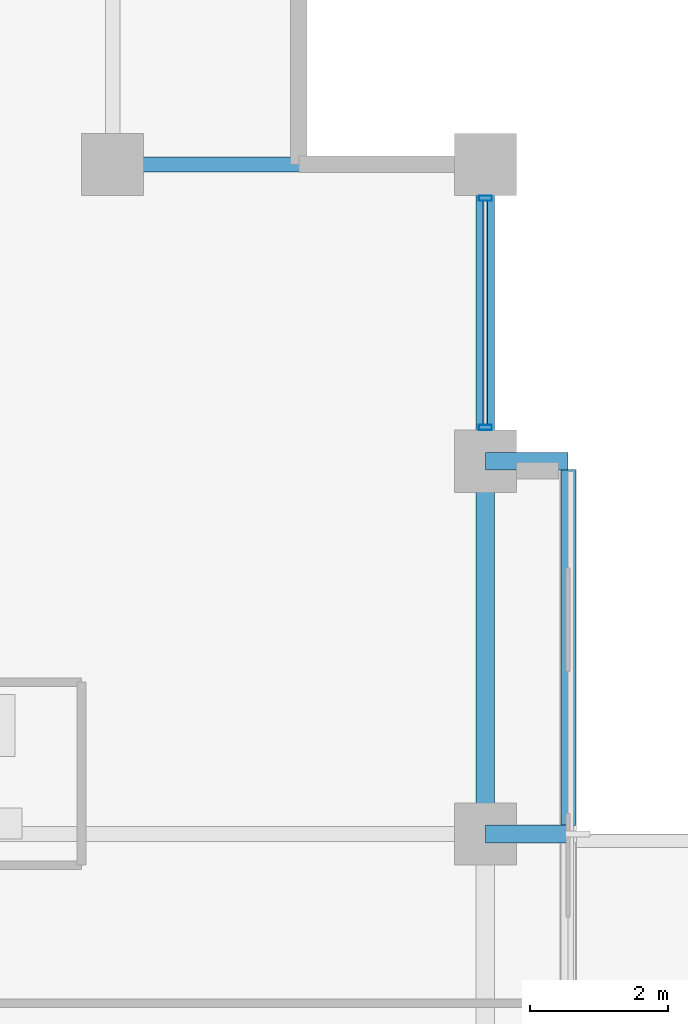
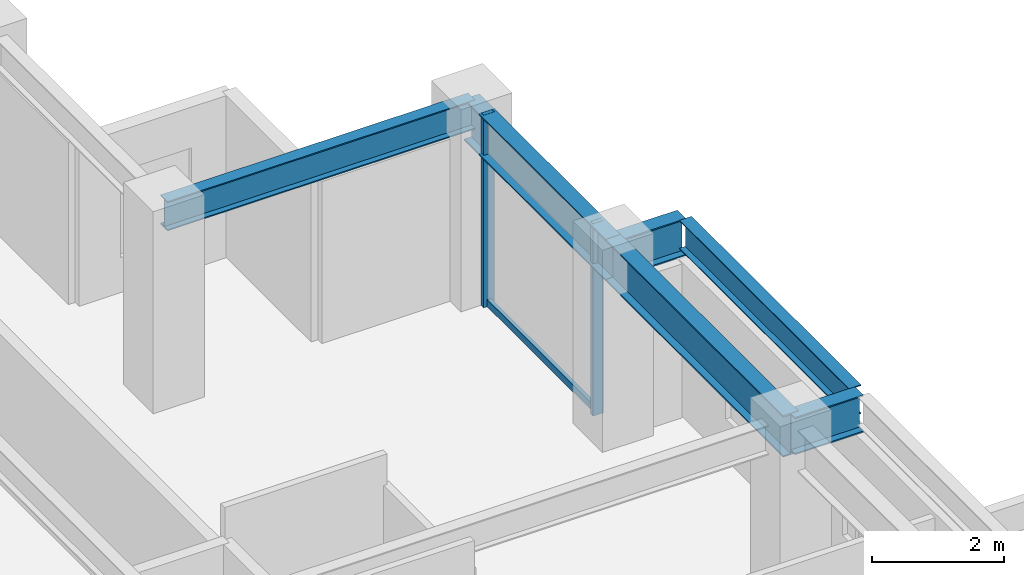
# One storey, part 20 of 28: 6 beams, 3 members, 1 element without a shape of its own.
"""IFC4 building model written with IfcOpenShell, lengths in metres."""

import ifcopenshell
import ifcopenshell.guid

model = None  # the IFC model being written
_history = None  # IfcOwnerHistory: only IFC2X3 demands one
_inside = {}  # id of a spatial element -> (the spatial element, [elements in it])
_under = {}  # id of a project, library or spatial element -> (it, [spatial elements below it])
_declared = {}  # id of a project -> (the project, [libraries it declares])
_typed = {}  # id of a type object -> (the type object, [elements of that type])
_made_of = {}  # id of a material, layer set ... -> (it, [elements and type objects made of it])


def new_model(schema):
    """Start an empty IFC model of exactly this schema.

    Asked for "IFC4X3", IfcOpenShell would pick the latest addendum, in which some entities
    have other attributes; the version numbers below select the first issue.
    IFC2X3 requires an IfcOwnerHistory on every rooted entity: one is made here for all.
    """
    global model, _history
    if schema == "IFC4X3":
        model = ifcopenshell.file(schema_version=(4, 3, 0, 0))
    else:
        model = ifcopenshell.file(schema=schema)
    _inside.clear()
    _under.clear()
    _declared.clear()
    _typed.clear()
    _made_of.clear()
    _history = None
    if model.schema == "IFC2X3":
        org = make("IfcOrganization", Name="unknown")
        user = make(
            "IfcPersonAndOrganization",
            ThePerson=make("IfcPerson", FamilyName="unknown"),
            TheOrganization=org,
        )
        app = make(
            "IfcApplication",
            ApplicationDeveloper=org,
            Version="unknown",
            ApplicationFullName="unknown",
            ApplicationIdentifier="unknown",
        )
        _history = make(
            "IfcOwnerHistory",
            OwningUser=user,
            OwningApplication=app,
            ChangeAction="ADDED",
            CreationDate=0,
        )
    return model


def make(cls, **values):
    """One entity of the class cls with the attributes given. An attribute that is None is left unset."""
    return model.create_entity(
        cls, **{name: value for name, value in values.items() if value is not None}
    )


def rooted(cls, **values):
    """An entity with a GlobalId (a new one), such as an element, a storey or a relation."""
    return make(cls, GlobalId=ifcopenshell.guid.new(), OwnerHistory=_history, **values)


def si_unit(unit_type, name, prefix=None):
    """IfcSIUnit, for example si_unit("LENGTHUNIT", "METRE", prefix="MILLI")."""
    return make("IfcSIUnit", UnitType=unit_type, Prefix=prefix, Name=name)


def assignment(units):
    """IfcUnitAssignment: the units of a project."""
    return None if units is None else make("IfcUnitAssignment", Units=units)


def point(xyz):
    """IfcCartesianPoint."""
    return None if xyz is None else make("IfcCartesianPoint", Coordinates=xyz)


def direction(xyz):
    """IfcDirection."""
    return None if xyz is None else make("IfcDirection", DirectionRatios=xyz)


def frame(location, z_axis=None, x_axis=None):
    """IfcAxis2Placement3D, a coordinate frame: its origin and axes. An axis left out is left unset."""
    return make(
        "IfcAxis2Placement3D",
        Location=point(location),
        Axis=direction(z_axis),
        RefDirection=direction(x_axis),
    )


def frame_2d(location, x_axis=None):
    """IfcAxis2Placement2D, a coordinate frame in the plane: its origin and x axis."""
    return make(
        "IfcAxis2Placement2D", Location=point(location), RefDirection=direction(x_axis)
    )


def origin():
    """The frame at (0, 0, 0) with its axes left unset."""
    return frame((0.0, 0.0, 0.0))


def origin_2d():
    """The frame at (0, 0) in the plane with its x axis left unset."""
    return frame_2d((0.0, 0.0))


def place(relative_to, where):
    """IfcLocalPlacement: puts the frame where relative to a parent placement (None: the world)."""
    return make(
        "IfcLocalPlacement", PlacementRelTo=relative_to, RelativePlacement=where
    )


def context(
    kind, dimensions, precision=None, world=None, true_north=None, identifier=None
):
    """IfcGeometricRepresentationContext, for example the 3D "Model" context."""
    return make(
        "IfcGeometricRepresentationContext",
        ContextIdentifier=identifier,
        ContextType=kind,
        CoordinateSpaceDimension=dimensions,
        Precision=precision,
        WorldCoordinateSystem=world,
        TrueNorth=true_north,
    )


def subcontext(parent, identifier, kind, view, scale=None):
    """IfcGeometricRepresentationSubContext, for example "Body" below "Model"."""
    return make(
        "IfcGeometricRepresentationSubContext",
        ContextIdentifier=identifier,
        ContextType=kind,
        ParentContext=parent,
        TargetScale=scale,
        TargetView=view,
    )


def project(units=None, contexts=None):
    """IfcProject with its units and contexts."""
    return rooted(
        "IfcProject",
        Name="project",
        RepresentationContexts=contexts,
        UnitsInContext=assignment(units),
    )


def spatial(cls, under=None, at=None, **own):
    """A site, building, storey or space (cls), placed at a placement, below another one or the project."""
    s = rooted(cls, ObjectPlacement=at, **own)
    if under is not None:
        _under.setdefault(under.id(), (under, []))[1].append(s)
    return s


def profile(cls, at=None, kind="AREA", **sizes):
    """A parametric profile (cls). Its sizes go by their IFC names, for example OverallWidth=200.0."""
    return make(cls, ProfileType=kind, Position=at, **sizes)


def hollow_rectangle(**sizes):
    """IfcRectangleHollowProfileDef."""
    return profile("IfcRectangleHollowProfileDef", **sizes)


def i_section(**sizes):
    """IfcIShapeProfileDef."""
    return profile("IfcIShapeProfileDef", **sizes)


def extrude(swept, where, along, depth):
    """IfcExtrudedAreaSolid: the profile swept, set in the frame where, extruded along a direction by depth."""
    return make(
        "IfcExtrudedAreaSolid",
        SweptArea=swept,
        Position=where,
        ExtrudedDirection=direction(along),
        Depth=depth,
    )


def shape(context_of_items, identifier, shape_type, items):
    """IfcShapeRepresentation: the items that make up one representation, for example the "Body"."""
    return make(
        "IfcShapeRepresentation",
        ContextOfItems=context_of_items,
        RepresentationIdentifier=identifier,
        RepresentationType=shape_type,
        Items=items,
    )


def material(Name=None, Category=None):
    """IfcMaterial."""
    return make("IfcMaterial", Name=Name, Category=Category)


def layer(
    of_material, thickness, ventilated=None, Name=None, Category=None, Priority=None
):
    """IfcMaterialLayer: one layer of a wall or slab, of a material (None: an air gap)."""
    return make(
        "IfcMaterialLayer",
        Material=of_material,
        LayerThickness=thickness,
        IsVentilated=ventilated,
        Name=Name,
        Category=Category,
        Priority=Priority,
    )


def layer_set(layers, Name=None):
    """IfcMaterialLayerSet."""
    return make("IfcMaterialLayerSet", MaterialLayers=layers, LayerSetName=Name)


def material_profile(
    of_material, cross_section, Name=None, Category=None, Priority=None
):
    """IfcMaterialProfile: a cross section and its material."""
    return make(
        "IfcMaterialProfile",
        Name=Name,
        Material=of_material,
        Profile=cross_section,
        Priority=Priority,
        Category=Category,
    )


def profile_set(profiles, Name=None, composite=None):
    """IfcMaterialProfileSet."""
    return make(
        "IfcMaterialProfileSet",
        Name=Name,
        MaterialProfiles=profiles,
        CompositeProfile=composite,
    )


def made_of(thing, what):
    """Note that an element or type object is made of a material, layer set ...; save() writes the relation."""
    if what is not None:
        _made_of.setdefault(what.id(), (what, []))[1].append(thing)
    return thing


def type_object(cls, material=None, **own):
    """A type object (cls), such as IfcWallType, which elements share."""
    return made_of(rooted(cls, **own), material)


def element(
    cls,
    number,
    at=None,
    inside=None,
    cuts=None,
    type_object=None,
    material=None,
    context=None,
    identifier="Body",
    shape_type=None,
    held_by="IfcProductDefinitionShape",
    body=None,
    shapes=None,
    **own,
):
    """One element of the class cls, such as IfcWall. Its Tag is "e" and its number.

    at: its placement. inside: the storey or other place that contains it. cuts: it is an
    opening in that element (IfcRelVoidsElement). A single representation is given by context,
    identifier, shape_type and body (its items); several are given by shapes. held_by: the class
    of the entity that holds the representations. save() writes the other relations.
    """
    e = rooted(cls, Tag="e%d" % number, ObjectPlacement=at, **own)
    if body is not None:
        shapes = [shape(context, identifier, shape_type, body)]
    if shapes is not None:
        e.Representation = make(held_by, Representations=shapes)
    if inside is not None:
        _inside.setdefault(inside.id(), (inside, []))[1].append(e)
    if cuts is not None:
        rooted(
            "IfcRelVoidsElement", RelatingBuildingElement=cuts, RelatedOpeningElement=e
        )
    if type_object is not None:
        _typed.setdefault(type_object.id(), (type_object, []))[1].append(e)
    return made_of(e, material)


def aggregate(whole, parts):
    """IfcRelAggregates: a whole, such as a stair, and the parts it consists of."""
    return rooted("IfcRelAggregates", RelatingObject=whole, RelatedObjects=parts)


def save(model, path):
    """Write the relations noted so far, then the file.

    IfcRelAggregates (storeys below a building ...), IfcRelContainedInSpatialStructure (elements
    in a storey), IfcRelDefinesByType, IfcRelAssociatesMaterial and IfcRelDeclares: one each for
    every whole, place, type object, material and project.
    """
    for whole, parts in _under.values():
        aggregate(whole, parts)
    for where, things in _inside.values():
        rooted(
            "IfcRelContainedInSpatialStructure",
            RelatedElements=things,
            RelatingStructure=where,
        )
    for kind, things in _typed.values():
        rooted("IfcRelDefinesByType", RelatedObjects=things, RelatingType=kind)
    for what, things in _made_of.values():
        rooted("IfcRelAssociatesMaterial", RelatedObjects=things, RelatingMaterial=what)
    for by, libraries in _declared.values():
        rooted("IfcRelDeclares", RelatingContext=by, RelatedDefinitions=libraries)
    model.write(path)


model = new_model("IFC4")

# Units and contexts
model_context = context("Model", 3, precision=1e-05, world=origin(), true_north=direction((0.0, 1.0)))
body_context = subcontext(model_context, "Body", "Model", "MODEL_VIEW")
ifc_project = project(units=[si_unit("LENGTHUNIT", "METRE"), si_unit("AREAUNIT", "SQUARE_METRE"), si_unit("VOLUMEUNIT", "CUBIC_METRE"), si_unit("PLANEANGLEUNIT", "RADIAN"), si_unit("MASSUNIT", "GRAM", prefix="KILO")], contexts=[model_context])

# Site, building, storey
site_placement = place(None, origin())
site = spatial("IfcSite", under=ifc_project, at=site_placement, CompositionType="ELEMENT")
building_placement = place(site_placement, origin())
building = spatial("IfcBuilding", under=site, at=building_placement, Name="Surkhivell Harbour Commons", CompositionType="ELEMENT")
storey_placement = place(building_placement, frame((0.0, 0.0, 182.25)))
storey = spatial("IfcBuildingStorey", under=building, at=storey_placement, Name="L47", CompositionType="ELEMENT", Elevation=182.25)

# Beams
ifc_material_1 = material(Name="Steel S460", Category="steel")
ifc_material_profile_1 = material_profile(ifc_material_1, i_section(OverallWidth=0.256103515625, OverallDepth=0.693115234375, WebThickness=0.014404296875, FlangeThickness=0.023681640625, at=origin_2d()), Name="UB686x254x170")
ifc_profile_set_1 = profile_set([ifc_material_profile_1], Name="Steel S460")
beam_type_1 = type_object("IfcBeamType", Name="BM-CNT-686", PredefinedType="BEAM", material=ifc_profile_set_1)
for number, where, z_axis, x_axis, name in (
    (1, (21.60009765625, 10.800048828125, 3.223388671875), (1.0, 0.0, 0.0), (0.0, 1.0, 0.0), "L47 Box Cantilever Outrigger (21.6,10.8)"),
    (2, (21.60009765625, 16.199951171875, 3.223388671875), (1.0, 0.0, 0.0), (0.0, 1.0, 0.0), "L47 Box Cantilever Outrigger (21.6,16.2)"),
):
    element("IfcBeam", number, at=place(storey_placement, frame(where, z_axis=z_axis, x_axis=x_axis)), inside=storey, type_object=beam_type_1, Name=name, PredefinedType="BEAM", context=body_context, shape_type="SweptSolid", body=[
        extrude(i_section(OverallWidth=0.256103515625, OverallDepth=0.693115234375, WebThickness=0.014404296875, FlangeThickness=0.023681640625, at=origin_2d()), origin(), (0.0, 0.0, 1.0), 1.199951171875),
    ])
ifc_material_2 = material(Name="Steel S355", Category="steel")
ifc_material_profile_2 = material_profile(ifc_material_2, i_section(OverallWidth=0.2119140625, OverallDepth=0.5439453125, WebThickness=0.0126953125, FlangeThickness=0.021240234375, at=origin_2d()), Name="UB533x210x122")
ifc_profile_set_2 = profile_set([ifc_material_profile_2], Name="Steel S355")
beam_type_2 = type_object("IfcBeamType", Name="BM-GRD-533A", PredefinedType="BEAM", material=ifc_profile_set_2)
beam_1_placement = place(storey_placement, frame((16.199951171875, 20.5, 3.298095703125), z_axis=(1.0, 0.0, 0.0), x_axis=(0.0, 1.0, 0.0)))
element("IfcBeam", 3, at=beam_1_placement, inside=storey, type_object=beam_type_2, Name="L47 Floor Girder (16.2,20.5)", PredefinedType="BEAM", context=body_context, shape_type="SweptSolid", body=[
    extrude(i_section(OverallWidth=0.2119140625, OverallDepth=0.5439453125, WebThickness=0.0126953125, FlangeThickness=0.021240234375, at=origin_2d()), origin(), (0.0, 0.0, 1.0), 5.400146484375),
])
ifc_material_profile_3 = material_profile(ifc_material_2, i_section(OverallWidth=0.2099609375, OverallDepth=0.537109375, WebThickness=0.0107421875, FlangeThickness=0.017333984375, at=origin_2d()), Name="UB533x210x101")
ifc_profile_set_3 = profile_set([ifc_material_profile_3], Name="Steel S355")
beam_type_3 = type_object("IfcBeamType", Name="BM-GRD-533B", PredefinedType="BEAM", material=ifc_profile_set_3)
beam_2_placement = place(storey_placement, frame((22.800048828125, 10.922119140625, 3.301513671875), z_axis=(0.0, 1.0, 0.0), x_axis=(-1.0, 0.0, 0.0)))
element("IfcBeam", 4, at=beam_2_placement, inside=storey, type_object=beam_type_3, Name="L47 Box Rim Spandrel (22.8,10.8)", PredefinedType="BEAM", context=body_context, shape_type="SweptSolid", body=[
    extrude(i_section(OverallWidth=0.2099609375, OverallDepth=0.537109375, WebThickness=0.0107421875, FlangeThickness=0.017333984375, at=origin_2d()), origin(), (0.0, 0.0, 1.0), 5.15576171875),
])
ifc_material_profile_4 = material_profile(ifc_material_2, i_section(OverallWidth=0.26806640625, OverallDepth=0.77001953125, WebThickness=0.015625, FlangeThickness=0.025390625, at=origin_2d()), Name="UB762x267x197")
ifc_profile_set_4 = profile_set([ifc_material_profile_4], Name="Steel S355")
beam_type_4 = type_object("IfcBeamType", Name="BM-SPN-762", PredefinedType="SPANDREL", material=ifc_profile_set_4)
beam_3_placement = place(storey_placement, frame((21.60009765625, 10.800048828125, 3.18505859375), z_axis=(0.0, 1.0, 0.0), x_axis=(-1.0, 0.0, 0.0)))
element("IfcBeam", 5, at=beam_3_placement, inside=storey, type_object=beam_type_4, Name="L47 Tube Spandrel (21.6,10.8)", PredefinedType="SPANDREL", context=body_context, shape_type="SweptSolid", body=[
    extrude(i_section(OverallWidth=0.26806640625, OverallDepth=0.77001953125, WebThickness=0.015625, FlangeThickness=0.025390625, at=origin_2d()), origin(), (0.0, 0.0, 1.0), 5.39990234375),
])
beam_4_placement = place(storey_placement, frame((21.60009765625, 16.199951171875, 3.18505859375), z_axis=(0.0, 1.0, 0.0), x_axis=(-1.0, 0.0, 0.0)))
element("IfcBeam", 6, at=beam_4_placement, inside=storey, type_object=beam_type_4, Name="L47 Tube Spandrel (21.6,16.2)", PredefinedType="SPANDREL", context=body_context, shape_type="SweptSolid", body=[
    extrude(i_section(OverallWidth=0.26806640625, OverallDepth=0.77001953125, WebThickness=0.015625, FlangeThickness=0.025390625, at=origin_2d()), origin(), (0.0, 0.0, 1.0), 4.300048828125),
])

# Curtain wall, members
ifc_material_3 = material(Name="Anodised pale-metal aluminium and insulated glazing", Category="aluminium")
ifc_layer = layer(ifc_material_3, 0.18994140625)
ifc_layer_set = layer_set([ifc_layer], Name="Anodised pale-metal aluminium and insulated glazing")
curtain_wall_type = type_object("IfcCurtainWallType", Name="CW-SYS-Z3", PredefinedType="NOTDEFINED", material=ifc_layer_set)
curtain_wall_placement = place(storey_placement, origin())
curtain_wall = element("IfcCurtainWall", 7, at=curtain_wall_placement, inside=storey, type_object=curtain_wall_type, Name="L47 Curtain Wall CW-L47-E02R2", PredefinedType="NOTDEFINED")
ifc_material_4 = material(Name="Anodised pale-metal aluminium alloy 6063-T6", Category="aluminium")
ifc_material_profile_5 = material_profile(ifc_material_4, hollow_rectangle(XDim=0.074951171875, YDim=0.18994140625, WallThickness=0.00390625, at=origin_2d()), Name="ALU-MULL-75x190")
ifc_profile_set_5 = profile_set([ifc_material_profile_5], Name="Anodised pale-metal aluminium alloy 6063-T6")
member_type_1 = type_object("IfcMemberType", Name="CWM-190", PredefinedType="MULLION", material=ifc_profile_set_5)
member_1_placement = place(storey_placement, frame((21.60009765625, 16.689453125, 0.0), z_axis=(0.0, 0.0, 1.0), x_axis=(0.0, 1.0, 0.0)))
member_1 = element("IfcMember", 8, at=member_1_placement, type_object=member_type_1, Name="CW-Z3 mullion 1", PredefinedType="MULLION", context=body_context, shape_type="SweptSolid", body=[
    extrude(hollow_rectangle(XDim=0.074951171875, YDim=0.18994140625, WallThickness=0.00390625, at=origin_2d()), origin(), (0.0, 0.0, 1.0), 3.570068359375),
])
member_2_placement = place(storey_placement, frame((21.60009765625, 20.010498046875, 0.0), z_axis=(0.0, 0.0, 1.0), x_axis=(0.0, 1.0, 0.0)))
member_2 = element("IfcMember", 9, at=member_2_placement, type_object=member_type_1, Name="CW-Z3 mullion 2", PredefinedType="MULLION", context=body_context, shape_type="SweptSolid", body=[
    extrude(hollow_rectangle(XDim=0.074951171875, YDim=0.18994140625, WallThickness=0.00390625, at=origin_2d()), origin(), (0.0, 0.0, 1.0), 3.570068359375),
])
ifc_material_5 = material(Name="Champagne anodised aluminium alloy 6063-T6", Category="aluminium")
ifc_material_profile_6 = material_profile(ifc_material_5, hollow_rectangle(XDim=0.070068359375, YDim=0.1298828125, WallThickness=0.00341796875, at=origin_2d()), Name="ALU-TRAN-70x130")
ifc_profile_set_6 = profile_set([ifc_material_profile_6], Name="Champagne anodised aluminium alloy 6063-T6")
member_type_2 = type_object("IfcMemberType", Name="CWT-130", PredefinedType="USERDEFINED", material=ifc_profile_set_6)
member_3_placement = place(storey_placement, frame((21.60009765625, 16.72705078125, 0.06494140625), z_axis=(0.0, 1.0, 0.0), x_axis=(-1.0, 0.0, 0.0)))
member_3 = element("IfcMember", 10, at=member_3_placement, type_object=member_type_2, Name="CW-Z3 transom 1.1", ObjectType="TRANSOM", PredefinedType="USERDEFINED", context=body_context, shape_type="SweptSolid", body=[
    extrude(hollow_rectangle(XDim=0.070068359375, YDim=0.1298828125, WallThickness=0.00341796875, at=origin_2d()), origin(), (0.0, 0.0, 1.0), 3.245849609375),
])
aggregate(curtain_wall, [member_1, member_2, member_3])

save(model, "model.ifc")
